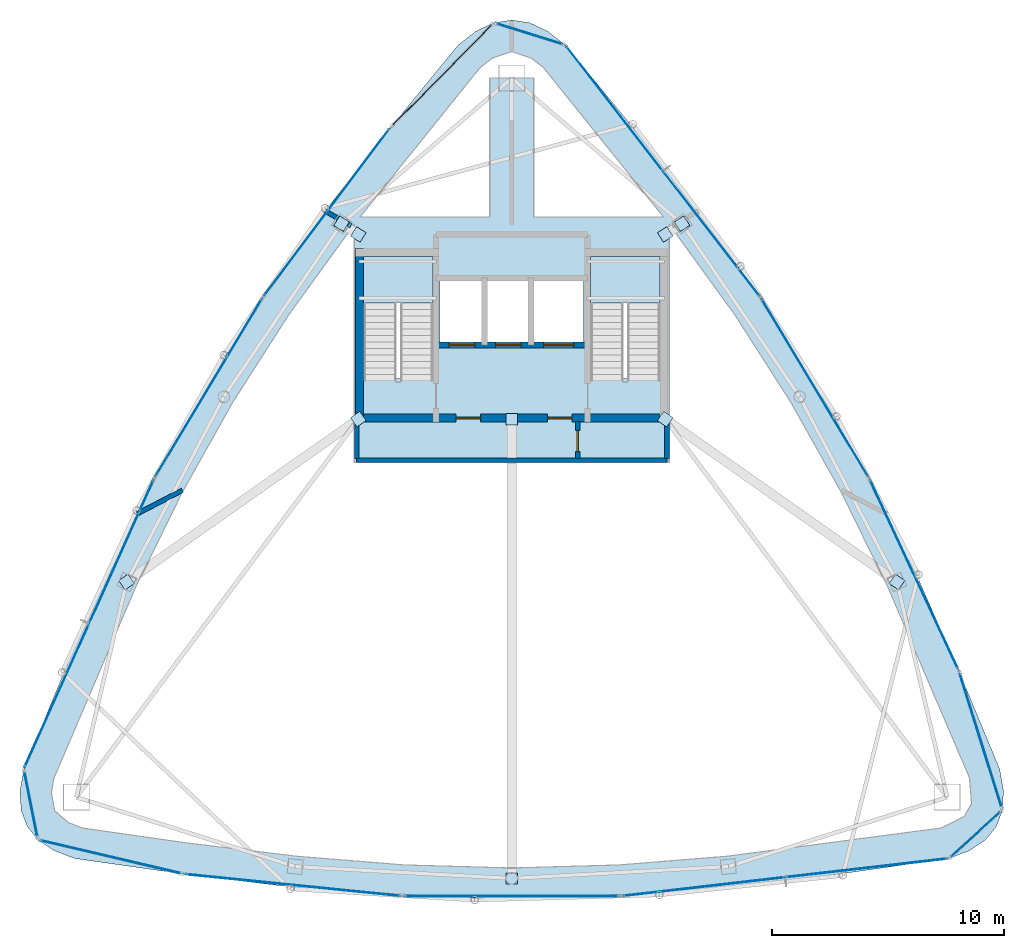
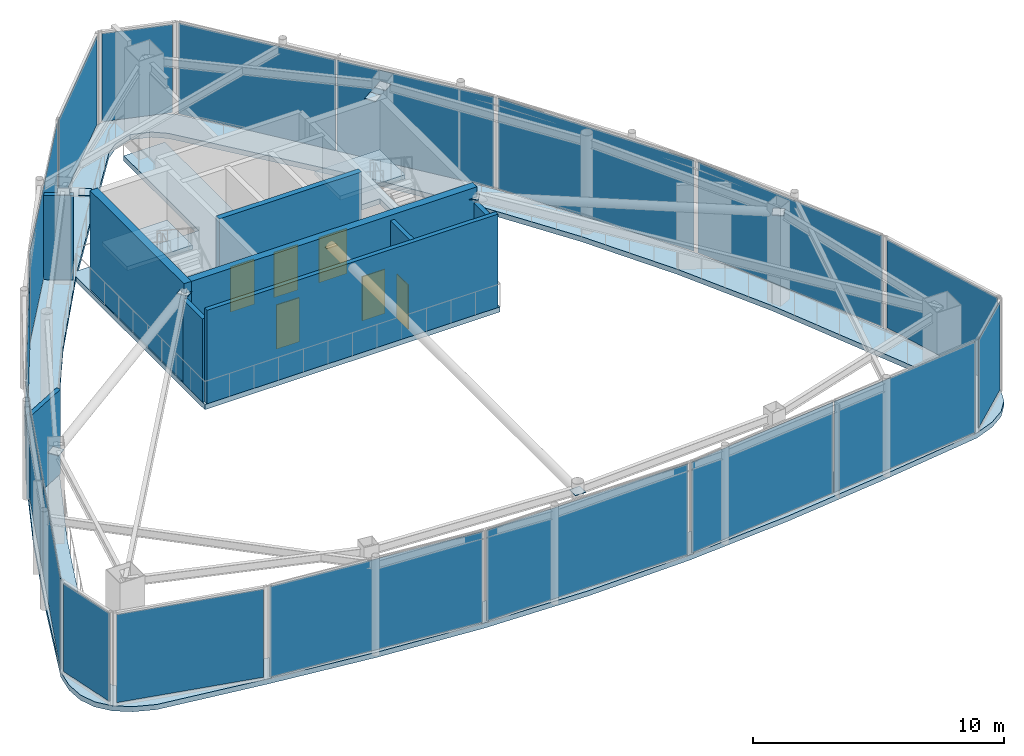
# One storey, part 16 of 20: 28 plates, 9 walls, 6 doors, 3 slabs, 6 openings, 17 elements without a shape of their own.
"""IFC4 building model written with IfcOpenShell, lengths in metres."""

from ifc_helpers import new_model, si_unit, direction, frame, frame_2d, origin, origin_2d, place, context, subcontext, project, spatial, polyline, rectangle, outline, extrude, material, layer, layer_set, type_object, element, fill, aggregate, save


model = new_model("IFC4")

# Units and contexts
model_context = context("Model", 3, precision=1e-05, world=origin(), true_north=direction((0.0, 1.0)))
body_context = subcontext(model_context, "Body", "Model", "MODEL_VIEW")
ifc_project = project(units=[si_unit("LENGTHUNIT", "METRE"), si_unit("AREAUNIT", "SQUARE_METRE"), si_unit("VOLUMEUNIT", "CUBIC_METRE"), si_unit("PLANEANGLEUNIT", "RADIAN"), si_unit("MASSUNIT", "GRAM", prefix="KILO")], contexts=[model_context])

# Site, building, storey
site_placement = place(None, origin())
site = spatial("IfcSite", under=ifc_project, at=site_placement, CompositionType="ELEMENT")
building_placement = place(site_placement, origin())
building = spatial("IfcBuilding", under=site, at=building_placement, Name="Orvanel Arch Residences", CompositionType="ELEMENT")
storey_placement = place(building_placement, frame((0.0, 0.0, 305.300048828125)))
storey = spatial("IfcBuildingStorey", under=building, at=storey_placement, Name="L85", CompositionType="ELEMENT", Elevation=305.300048828125)

# Plates
ifc_material_1 = material(Name="Structural steel AS/NZS 3678 Grade 350", Category="steel")
ifc_layer_1 = layer(ifc_material_1, 0.028076171875)
ifc_layer_set_1 = layer_set([ifc_layer_1], Name="Structural steel AS/NZS 3678 Grade 350")
plate_type_1 = type_object("IfcPlateType", Name="PL-CAP-28", PredefinedType="SHEET", material=ifc_layer_set_1)
for number, where, z_axis, x_axis, name in (
    (1, (26.375, 26.675048828125, 4.2861328125), (0.0, 0.0, 1.0), (0.818149717425, 0.575005252043, 0.0), "L85 hollow member end cap plate"),
    (2, (16.366943359375, 19.64208984375, 4.2861328125), (0.0, 0.0, 1.0), (0.818149717425, 0.575005252043, 0.0), "L85 hollow member end cap plate"),
    (3, (39.625, 26.675048828125, 4.2861328125), (0.0, 0.0, 1.0), (-0.818149717425, 0.575005252043, 0.0), "L85 hollow member end cap plate"),
    (4, (49.633056640625, 19.64208984375, 4.2861328125), (0.0, 0.0, 1.0), (-0.818149717425, 0.575005252043, 0.0), "L85 hollow member end cap plate"),
    (5, (26.375, 34.64990234375, 4.2861328125), (0.0, 0.0, 1.0), (-0.843391445813, 0.537299608347, 0.0), "L85 hollow member end cap plate"),
    (6, (25.64794921875, 35.113037109375, 4.2861328125), (0.0, 0.0, 1.0), (-0.843391445813, 0.537299608347, 0.0), "L85 hollow member end cap plate"),
    (7, (39.625, 34.64990234375, 4.2861328125), (0.0, 0.0, 1.0), (0.843391445813, 0.537299608347, 0.0), "L85 hollow member end cap plate"),
    (8, (40.35205078125, 35.113037109375, 4.2861328125), (0.0, 0.0, 1.0), (0.843391445813, 0.537299608347, 0.0), "L85 hollow member end cap plate"),
    (9, (33.0, 26.675048828125, 4.2861328125), (0.0, 0.0, 1.0), (0.0, 1.0, 0.0), "L85 hollow member end cap plate"),
    (10, (33.0, 6.843994140625, 4.2861328125), (0.0, 0.0, 1.0), (0.0, 1.0, 0.0), "L85 hollow member end cap plate"),
):
    element("IfcPlate", number, at=place(storey_placement, frame(where, z_axis=z_axis, x_axis=x_axis)), inside=storey, type_object=plate_type_1, Name=name, PredefinedType="SHEET", context=body_context, shape_type="SweptSolid", body=[
        extrude(rectangle(XDim=0.486083984375, YDim=0.486083984375, at=origin_2d()), origin(), (0.0, 0.0, 1.0), 0.028076171875),
    ])

# Curtain wall, plate
ifc_material_2 = material(Name="Bronze-anodised aluminium AA6063-T6", Category="aluminium")
ifc_layer_2 = layer(ifc_material_2, 0.2099609375)
ifc_layer_set_2 = layer_set([ifc_layer_2], Name="Bronze-anodised aluminium AA6063-T6")
curtain_wall_type = type_object("IfcCurtainWallType", Name="CW7-TOP-SYS", PredefinedType="NOTDEFINED", material=ifc_layer_set_2)
curtain_wall_1_placement = place(storey_placement, origin())
curtain_wall_1 = element("IfcCurtainWall", 11, at=curtain_wall_1_placement, inside=storey, type_object=curtain_wall_type, Name="L85 CW7-TOP-SYS Unitised Curtain Wall", PredefinedType="NOTDEFINED")
ifc_material_3 = material(Name="Double-glazed solar-control low-E safety glass", Category="glass")
ifc_layer_3 = layer(ifc_material_3, 0.031982421875)
ifc_layer_set_3 = layer_set([ifc_layer_3], Name="Double-glazed solar-control low-E safety glass")
plate_type_2 = type_object("IfcPlateType", Name="PNL-GLZ-32", PredefinedType="CURTAIN_PANEL", material=ifc_layer_set_3)
plate_1_placement = place(storey_placement, frame((33.771484375, 43.30859375, 0.1298828125), z_axis=(0.0, 0.0, 1.0), x_axis=(-0.954819263057, 0.297187104186, 0.0)))
plate_1 = element("IfcPlate", 12, at=plate_1_placement, type_object=plate_type_2, Name="CW-S7 panel 1.1", PredefinedType="CURTAIN_PANEL", context=body_context, shape_type="SweptSolid", body=[
    extrude(rectangle(XDim=2.893310546875, YDim=0.031982421875, at=origin_2d()), origin(), (0.0, 0.0, 1.0), 4.2900390625),
])
aggregate(curtain_wall_1, [plate_1])

curtain_wall_2_placement = place(storey_placement, origin())
curtain_wall_2 = element("IfcCurtainWall", 13, at=curtain_wall_2_placement, inside=storey, type_object=curtain_wall_type, Name="L85 CW7-TOP-SYS Unitised Curtain Wall", PredefinedType="NOTDEFINED")
plate_2_placement = place(storey_placement, frame((29.99560546875, 41.528564453125, 0.1298828125), z_axis=(0.0, 0.0, 1.0), x_axis=(-0.702658700907, -0.71152705503, 0.0)))
plate_2 = element("IfcPlate", 14, at=plate_2_placement, type_object=plate_type_2, Name="CW-S7 panel 1.1", PredefinedType="CURTAIN_PANEL", context=body_context, shape_type="SweptSolid", body=[
    extrude(rectangle(XDim=6.0146484375, YDim=0.031982421875, at=origin_2d()), origin(), (0.0, 0.0, 1.0), 4.2900390625),
])
aggregate(curtain_wall_2, [plate_2])

curtain_wall_3_placement = place(storey_placement, origin())
curtain_wall_3 = element("IfcCurtainWall", 15, at=curtain_wall_3_placement, inside=storey, type_object=curtain_wall_type, Name="L85 CW7-TOP-SYS Unitised Curtain Wall", PredefinedType="NOTDEFINED")
plate_3_placement = place(storey_placement, frame((12.236572265625, 10.03857421875, 0.1298828125), z_axis=(0.0, 0.0, 1.0), x_axis=(0.195615366274, -0.980680696495, 0.0)))
plate_3 = element("IfcPlate", 16, at=plate_3_placement, type_object=plate_type_2, Name="CW-S7 panel 1.1", PredefinedType="CURTAIN_PANEL", context=body_context, shape_type="SweptSolid", body=[
    extrude(rectangle(XDim=2.7724609375, YDim=0.031982421875, at=origin_2d()), origin(), (0.0, 0.0, 1.0), 4.2900390625),
])
aggregate(curtain_wall_3, [plate_3])

curtain_wall_4_placement = place(storey_placement, origin())
curtain_wall_4 = element("IfcCurtainWall", 17, at=curtain_wall_4_placement, inside=storey, type_object=curtain_wall_type, Name="L85 CW7-TOP-SYS Unitised Curtain Wall", PredefinedType="NOTDEFINED")
plate_4_placement = place(storey_placement, frame((15.689453125, 7.77197265625, 0.1298828125), z_axis=(0.0, 0.0, 1.0), x_axis=(0.973510919271, -0.22864052585, 0.0)))
plate_4 = element("IfcPlate", 18, at=plate_4_placement, type_object=plate_type_2, Name="CW-S7 panel 1.1", PredefinedType="CURTAIN_PANEL", context=body_context, shape_type="SweptSolid", body=[
    extrude(rectangle(XDim=6.12939453125, YDim=0.031982421875, at=origin_2d()), origin(), (0.0, 0.0, 1.0), 4.2900390625),
])
aggregate(curtain_wall_4, [plate_4])

curtain_wall_5_placement = place(storey_placement, origin())
curtain_wall_5 = element("IfcCurtainWall", 19, at=curtain_wall_5_placement, inside=storey, type_object=curtain_wall_type, Name="L85 CW7-TOP-SYS Unitised Curtain Wall", PredefinedType="NOTDEFINED")
plate_5_placement = place(storey_placement, frame((53.035400390625, 8.75244140625, 0.1298828125), z_axis=(0.0, 0.0, 1.0), x_axis=(0.740131415499, 0.672462257522, 0.0)))
plate_5 = element("IfcPlate", 20, at=plate_5_placement, type_object=plate_type_2, Name="CW-S7 panel 1.1", PredefinedType="CURTAIN_PANEL", context=body_context, shape_type="SweptSolid", body=[
    extrude(rectangle(XDim=2.773681640625, YDim=0.031982421875, at=origin_2d()), origin(), (0.0, 0.0, 1.0), 4.2900390625),
])
aggregate(curtain_wall_5, [plate_5])

curtain_wall_6_placement = place(storey_placement, origin())
curtain_wall_6 = element("IfcCurtainWall", 21, at=curtain_wall_6_placement, inside=storey, type_object=curtain_wall_type, Name="L85 CW7-TOP-SYS Unitised Curtain Wall", PredefinedType="NOTDEFINED")
plate_6_placement = place(storey_placement, frame((53.2451171875, 12.8095703125, 0.1298828125), z_axis=(0.0, 0.0, 1.0), x_axis=(-0.298901573542, 0.954283945864, 0.0)))
plate_6 = element("IfcPlate", 22, at=plate_6_placement, type_object=plate_type_2, Name="CW-S7 panel 1.1", PredefinedType="CURTAIN_PANEL", context=body_context, shape_type="SweptSolid", body=[
    extrude(rectangle(XDim=5.9697265625, YDim=0.031982421875, at=origin_2d()), origin(), (0.0, 0.0, 1.0), 4.2900390625),
])
aggregate(curtain_wall_6, [plate_6])

curtain_wall_7_placement = place(storey_placement, origin())
curtain_wall_7 = element("IfcCurtainWall", 23, at=curtain_wall_7_placement, inside=storey, type_object=curtain_wall_type, Name="L85 CW7-TOP-SYS Unitised Curtain Wall", PredefinedType="NOTDEFINED")
plate_7_placement = place(storey_placement, frame((25.009521484375, 35.60498046875, 0.06494140625), z_axis=(0.0, 0.0, 1.0), x_axis=(-0.600876351509, -0.799341985759, 0.0)))
plate_7 = element("IfcPlate", 24, at=plate_7_placement, type_object=plate_type_2, Name="CW-S7 panel 1.1", PredefinedType="CURTAIN_PANEL", context=body_context, shape_type="SweptSolid", body=[
    extrude(rectangle(XDim=8.97509765625, YDim=0.031982421875, at=origin_2d()), origin(), (0.0, 0.0, 1.0), 4.419921875),
])
aggregate(curtain_wall_7, [plate_7])

curtain_wall_8_placement = place(storey_placement, origin())
curtain_wall_8 = element("IfcCurtainWall", 25, at=curtain_wall_8_placement, inside=storey, type_object=curtain_wall_type, Name="L85 CW7-TOP-SYS Unitised Curtain Wall", PredefinedType="NOTDEFINED")
plate_8_placement = place(storey_placement, frame((19.912109375, 28.034423828125, 0.06494140625), z_axis=(0.0, 0.0, 1.0), x_axis=(-0.514447133788, -0.857522096821, 0.0)))
plate_8 = element("IfcPlate", 26, at=plate_8_placement, type_object=plate_type_2, Name="CW-S7 panel 1.1", PredefinedType="CURTAIN_PANEL", context=body_context, shape_type="SweptSolid", body=[
    extrude(rectangle(XDim=8.923828125, YDim=0.031982421875, at=origin_2d()), origin(), (0.0, 0.0, 1.0), 4.419921875),
])
aggregate(curtain_wall_8, [plate_8])

# Curtain wall, plates
curtain_wall_9_placement = place(storey_placement, origin())
curtain_wall_9 = element("IfcCurtainWall", 27, at=curtain_wall_9_placement, inside=storey, type_object=curtain_wall_type, Name="L85 CW7-TOP-SYS Unitised Curtain Wall", PredefinedType="NOTDEFINED")
plate_9_placement = place(storey_placement, frame((16.147216796875, 20.96044921875, 0.06494140625), z_axis=(0.0, 0.0, 1.0), x_axis=(-0.40935286193, -0.912376147447, 0.0)))
plate_9 = element("IfcPlate", 28, at=plate_9_placement, type_object=plate_type_2, Name="CW-S7 panel 1.1", PredefinedType="CURTAIN_PANEL", context=body_context, shape_type="SweptSolid", body=[
    extrude(rectangle(XDim=6.751953125, YDim=0.031982421875, at=origin_2d()), origin(), (0.0, 0.0, 1.0), 4.419921875),
])
plate_10_placement = place(storey_placement, frame((13.352783203125, 14.731689453125, 0.06494140625), z_axis=(0.0, 0.0, 1.0), x_axis=(-0.40935286193, -0.912376147447, 0.0)))
plate_10 = element("IfcPlate", 29, at=plate_10_placement, type_object=plate_type_2, Name="CW-S7 panel 2.1", PredefinedType="CURTAIN_PANEL", context=body_context, shape_type="SweptSolid", body=[
    extrude(rectangle(XDim=6.751953125, YDim=0.031982421875, at=origin_2d()), origin(), (0.0, 0.0, 1.0), 4.419921875),
])
aggregate(curtain_wall_9, [plate_9, plate_10])

# Curtain wall, plate
curtain_wall_10_placement = place(storey_placement, origin())
curtain_wall_10 = element("IfcCurtainWall", 30, at=curtain_wall_10_placement, inside=storey, type_object=curtain_wall_type, Name="L85 CW7-TOP-SYS Unitised Curtain Wall", PredefinedType="NOTDEFINED")
plate_11_placement = place(storey_placement, frame((23.55859375, 6.554931640625, 0.06494140625), z_axis=(0.0, 0.0, 1.0), x_axis=(0.994932912487, -0.10054103466, 0.0)))
plate_11 = element("IfcPlate", 31, at=plate_11_placement, type_object=plate_type_2, Name="CW-S7 panel 1.1", PredefinedType="CURTAIN_PANEL", context=body_context, shape_type="SweptSolid", body=[
    extrude(rectangle(XDim=9.298828125, YDim=0.031982421875, at=origin_2d()), origin(), (0.0, 0.0, 1.0), 4.419921875),
])
aggregate(curtain_wall_10, [plate_11])

curtain_wall_11_placement = place(storey_placement, origin())
curtain_wall_11 = element("IfcCurtainWall", 32, at=curtain_wall_11_placement, inside=storey, type_object=curtain_wall_type, Name="L85 CW7-TOP-SYS Unitised Curtain Wall", PredefinedType="NOTDEFINED")
plate_12_placement = place(storey_placement, frame((33.0, 6.077880859375, 0.06494140625), z_axis=(0.0, 0.0, 1.0), x_axis=(1.0, 0.0, 0.0)))
plate_12 = element("IfcPlate", 33, at=plate_12_placement, type_object=plate_type_2, Name="CW-S7 panel 1.1", PredefinedType="CURTAIN_PANEL", context=body_context, shape_type="SweptSolid", body=[
    extrude(rectangle(XDim=9.251953125, YDim=0.031982421875, at=origin_2d()), origin(), (0.0, 0.0, 1.0), 4.419921875),
])
aggregate(curtain_wall_11, [plate_12])

# Curtain wall, plates
curtain_wall_12_placement = place(storey_placement, origin())
curtain_wall_12 = element("IfcCurtainWall", 34, at=curtain_wall_12_placement, inside=storey, type_object=curtain_wall_type, Name="L85 CW7-TOP-SYS Unitised Curtain Wall", PredefinedType="NOTDEFINED")
plate_13_placement = place(storey_placement, frame((41.2900390625, 6.488037109375, 0.06494140625), z_axis=(0.0, 0.0, 1.0), x_axis=(0.9934526127, 0.11424494002, 0.0)))
plate_13 = element("IfcPlate", 35, at=plate_13_placement, type_object=plate_type_2, Name="CW-S7 panel 1.1", PredefinedType="CURTAIN_PANEL", context=body_context, shape_type="SweptSolid", body=[
    extrude(rectangle(XDim=6.9951171875, YDim=0.031982421875, at=origin_2d()), origin(), (0.0, 0.0, 1.0), 4.419921875),
])
plate_14_placement = place(storey_placement, frame((48.31396484375, 7.2958984375, 0.06494140625), z_axis=(0.0, 0.0, 1.0), x_axis=(0.9934526127, 0.11424494002, 0.0)))
plate_14 = element("IfcPlate", 36, at=plate_14_placement, type_object=plate_type_2, Name="CW-S7 panel 2.1", PredefinedType="CURTAIN_PANEL", context=body_context, shape_type="SweptSolid", body=[
    extrude(rectangle(XDim=6.9951171875, YDim=0.031982421875, at=origin_2d()), origin(), (0.0, 0.0, 1.0), 4.419921875),
])
aggregate(curtain_wall_12, [plate_13, plate_14])

# Curtain wall, plate
curtain_wall_13_placement = place(storey_placement, origin())
curtain_wall_13 = element("IfcCurtainWall", 37, at=curtain_wall_13_placement, inside=storey, type_object=curtain_wall_type, Name="L85 CW7-TOP-SYS Unitised Curtain Wall", PredefinedType="NOTDEFINED")
plate_15_placement = place(storey_placement, frame((50.366943359375, 19.973388671875, 0.06494140625), z_axis=(0.0, 0.0, 1.0), x_axis=(-0.422363438385, 0.906426569511, 0.0)))
plate_15 = element("IfcPlate", 38, at=plate_15_placement, type_object=plate_type_2, Name="CW-S7 panel 1.1", PredefinedType="CURTAIN_PANEL", context=body_context, shape_type="SweptSolid", body=[
    extrude(rectangle(XDim=8.974853515625, YDim=0.031982421875, at=origin_2d()), origin(), (0.0, 0.0, 1.0), 4.419921875),
])
aggregate(curtain_wall_13, [plate_15])

curtain_wall_14_placement = place(storey_placement, origin())
curtain_wall_14 = element("IfcCurtainWall", 39, at=curtain_wall_14_placement, inside=storey, type_object=curtain_wall_type, Name="L85 CW7-TOP-SYS Unitised Curtain Wall", PredefinedType="NOTDEFINED")
plate_16_placement = place(storey_placement, frame((46.087890625, 28.034423828125, 0.06494140625), z_axis=(0.0, 0.0, 1.0), x_axis=(-0.514447133788, 0.857522096821, 0.0)))
plate_16 = element("IfcPlate", 40, at=plate_16_placement, type_object=plate_type_2, Name="CW-S7 panel 1.1", PredefinedType="CURTAIN_PANEL", context=body_context, shape_type="SweptSolid", body=[
    extrude(rectangle(XDim=8.923828125, YDim=0.031982421875, at=origin_2d()), origin(), (0.0, 0.0, 1.0), 4.419921875),
])
aggregate(curtain_wall_14, [plate_16])

# Curtain wall, plates
curtain_wall_15_placement = place(storey_placement, origin())
curtain_wall_15 = element("IfcCurtainWall", 41, at=curtain_wall_15_placement, inside=storey, type_object=curtain_wall_type, Name="L85 CW7-TOP-SYS Unitised Curtain Wall", PredefinedType="NOTDEFINED")
plate_17_placement = place(storey_placement, frame((41.619384765625, 34.686279296875, 0.06494140625), z_axis=(0.0, 0.0, 1.0), x_axis=(-0.612259873102, 0.790656592833, 0.0)))
plate_17 = element("IfcPlate", 42, at=plate_17_placement, type_object=plate_type_2, Name="CW-S7 panel 1.1", PredefinedType="CURTAIN_PANEL", context=body_context, shape_type="SweptSolid", body=[
    extrude(rectangle(XDim=6.75146484375, YDim=0.031982421875, at=origin_2d()), origin(), (0.0, 0.0, 1.0), 4.419921875),
])
plate_18_placement = place(storey_placement, frame((37.439697265625, 40.083740234375, 0.06494140625), z_axis=(0.0, 0.0, 1.0), x_axis=(-0.612259873102, 0.790656592833, 0.0)))
plate_18 = element("IfcPlate", 43, at=plate_18_placement, type_object=plate_type_2, Name="CW-S7 panel 2.1", PredefinedType="CURTAIN_PANEL", context=body_context, shape_type="SweptSolid", body=[
    extrude(rectangle(XDim=6.75146484375, YDim=0.031982421875, at=origin_2d()), origin(), (0.0, 0.0, 1.0), 4.419921875),
])
aggregate(curtain_wall_15, [plate_17, plate_18])

# Slab
ifc_material_4 = material(Name="Concrete N40 (40 MPa)", Category="concrete")
ifc_layer_4 = layer(ifc_material_4, 0.25)
ifc_layer_set_4 = layer_set([ifc_layer_4], Name="Concrete N40 (40 MPa)")
slab_type_1 = type_object("IfcSlabType", Name="SLB-CRN-250", PredefinedType="FLOOR", material=ifc_layer_set_4)
slab_1_placement = place(storey_placement, frame((0.0, 0.0, -0.25)))
element("IfcSlab", 44, at=slab_1_placement, inside=storey, type_object=slab_type_1, Name="L85 Crown Conservatory Ring Gallery Slab", PredefinedType="FLOOR", context=body_context, shape_type="SweptSolid", body=[
    extrude(outline(polyline([(35.31494140625, 42.827880859375), (34.54296875, 43.428955078125), (33.77197265625, 43.7890625), (33.0, 43.908935546875), (32.22802734375, 43.7890625), (31.45703125, 43.428955078125), (30.68505859375, 42.827880859375), (27.762939453125, 39.26806640625), (24.927978515625, 35.654052734375), (22.256103515625, 31.94189453125), (19.797119140625, 28.10400390625), (17.568115234375, 24.126953125), (15.552001953125, 20.02197265625), (13.697998046875, 15.820068359375), (11.931884765625, 11.56494140625), (11.76611328125, 10.6220703125), (11.81201171875, 9.799072265625), (12.071044921875, 9.094970703125), (12.541015625, 8.511962890625), (13.222900390625, 8.049072265625), (14.116943359375, 7.7060546875), (18.837890625, 7.031982421875), (23.55908203125, 6.4599609375), (28.279052734375, 6.077880859375), (33.0, 5.944091796875), (37.720947265625, 6.077880859375), (42.44091796875, 6.4599609375), (47.162109375, 7.031982421875), (51.883056640625, 7.7060546875), (52.777099609375, 8.049072265625), (53.458984375, 8.511962890625), (53.928955078125, 9.094970703125), (54.18798828125, 9.799072265625), (54.23388671875, 10.6220703125), (54.068115234375, 11.56494140625), (52.302001953125, 15.820068359375), (50.447998046875, 20.02197265625), (48.431884765625, 24.126953125), (46.202880859375, 28.10400390625), (43.743896484375, 31.94189453125), (41.072021484375, 35.654052734375), (38.237060546875, 39.26806640625), (35.31494140625, 42.827880859375)]), holes=[polyline([(26.60009765625, 28.429931640625), (26.60009765625, 33.699951171875), (29.60009765625, 33.699951171875), (29.60009765625, 28.429931640625), (26.60009765625, 28.429931640625)]), polyline([(36.39990234375, 28.429931640625), (36.39990234375, 33.699951171875), (39.39990234375, 33.699951171875), (39.39990234375, 28.429931640625), (36.39990234375, 28.429931640625)]), polyline([(29.89990234375, 32.64990234375), (31.75, 32.64990234375), (31.75, 29.949951171875), (29.89990234375, 29.949951171875), (29.89990234375, 32.64990234375)]), polyline([(31.89990234375, 32.64990234375), (33.75, 32.64990234375), (33.75, 29.949951171875), (31.89990234375, 29.949951171875), (31.89990234375, 32.64990234375)]), polyline([(33.89990234375, 32.64990234375), (36.10009765625, 32.64990234375), (36.10009765625, 29.949951171875), (33.89990234375, 29.949951171875), (33.89990234375, 32.64990234375)]), polyline([(39.554931640625, 35.39990234375), (33.949951171875, 35.39990234375), (33.949951171875, 41.39794921875), (32.050048828125, 41.39794921875), (32.050048828125, 35.39990234375), (26.445068359375, 35.39990234375), (31.633056640625, 41.85498046875), (32.166015625, 42.27001953125), (33.0, 42.54296875), (33.833984375, 42.27001953125), (34.366943359375, 41.85498046875), (39.554931640625, 35.39990234375)]), polyline([(42.626953125, 31.18310546875), (45.044921875, 27.408935546875), (47.236083984375, 23.4990234375), (49.22412109375, 19.451904296875), (52.763916015625, 11.18505859375), (52.85107421875, 10.075927734375), (52.533935546875, 9.51611328125), (51.5419921875, 9.02099609375), (42.304931640625, 7.802978515625), (37.64697265625, 7.426025390625), (33.0, 7.294921875), (28.35302734375, 7.426025390625), (23.695068359375, 7.802978515625), (19.014892578125, 8.3701171875), (14.4580078125, 9.02099609375), (13.85205078125, 9.25390625), (13.260986328125, 9.76904296875), (13.123046875, 10.5419921875), (13.236083984375, 11.18505859375), (16.77587890625, 19.451904296875), (18.763916015625, 23.4990234375), (20.955078125, 27.408935546875), (23.373046875, 31.18310546875), (26.199951171875, 35.087890625), (26.199951171875, 24.800048828125), (39.800048828125, 24.800048828125), (39.800048828125, 35.087890625), (42.626953125, 31.18310546875)])]), origin(), (0.0, 0.0, 1.0), 0.25),
])

# Stair, slab
ifc_material_5 = material(Name="Precast concrete N50 (50 MPa)", Category="concrete")
stair_type = type_object("IfcStairType", Name="STR-DOG-184", PredefinedType="USERDEFINED", material=ifc_material_5)
stair_1_placement = place(storey_placement, origin())
stair_1 = element("IfcStair", 45, at=stair_1_placement, inside=storey, type_object=stair_type, Name="L85 Fire-Isolated Core Exit Stair 1", ObjectType="TWO_RETURN_STAIR", PredefinedType="USERDEFINED")
ifc_layer_5 = layer(ifc_material_4, 0.199951171875)
ifc_layer_set_5 = layer_set([ifc_layer_5], Name="Concrete N40 (40 MPa)")
slab_type_2 = type_object("IfcSlabType", Name="SLB-LND-200", PredefinedType="LANDING", material=ifc_layer_set_5)
slab_2_placement = place(storey_placement, frame((0.0, 0.0, 2.199951171875)))
slab_2 = element("IfcSlab", 46, at=slab_2_placement, type_object=slab_type_2, Name="ST-1 landing 1", PredefinedType="LANDING", context=body_context, shape_type="SweptSolid", body=[
    extrude(outline(polyline([(29.60009765625, 31.679931640625), (29.60009765625, 33.699951171875), (26.60009765625, 33.699951171875), (26.60009765625, 31.679931640625), (29.60009765625, 31.679931640625)])), origin(), (0.0, 0.0, 1.0), 0.199951171875),
])
aggregate(stair_1, [slab_2])

stair_2_placement = place(storey_placement, origin())
stair_2 = element("IfcStair", 47, at=stair_2_placement, inside=storey, type_object=stair_type, Name="L85 Fire-Isolated Core Exit Stair 2", ObjectType="TWO_RETURN_STAIR", PredefinedType="USERDEFINED")
slab_3_placement = place(storey_placement, frame((0.0, 0.0, 2.199951171875)))
slab_3 = element("IfcSlab", 48, at=slab_3_placement, type_object=slab_type_2, Name="ST-2 landing 1", PredefinedType="LANDING", context=body_context, shape_type="SweptSolid", body=[
    extrude(outline(polyline([(39.39990234375, 31.679931640625), (39.39990234375, 33.699951171875), (36.39990234375, 33.699951171875), (36.39990234375, 31.679931640625), (39.39990234375, 31.679931640625)])), origin(), (0.0, 0.0, 1.0), 0.199951171875),
])
aggregate(stair_2, [slab_3])

# Wall, openings, doors
ifc_material_6 = material(Name="Concrete N50 (50 MPa)", Category="concrete")
ifc_layer_6 = layer(ifc_material_6, 0.25)
ifc_layer_set_6 = layer_set([ifc_layer_6], Name="Concrete N50 (50 MPa)")
wall_type_1 = type_object("IfcWallType", Name="SW-CORE-250", PredefinedType="SHEAR", material=ifc_layer_set_6)
wall_1_placement = place(storey_placement, frame((36.27490234375, 29.875, 0.0), z_axis=(0.0, 0.0, 1.0), x_axis=(-1.0, 0.0, 0.0)))
wall_1 = element("IfcWall", 49, at=wall_1_placement, inside=storey, type_object=wall_type_1, Name="L85 Emergency Lift Front Core Shear Wall", PredefinedType="SHEAR", context=body_context, shape_type="SweptSolid", body=[
    extrude(rectangle(XDim=6.5498046875, YDim=0.25, at=frame_2d((3.27490234375, 0.0))), origin(), (0.0, 0.0, 1.0), 4.800048828125),
])
opening_1_placement = place(wall_1_placement, frame((4.875, 0.0, 0.0)))
opening_1 = element("IfcOpeningElement", 50, at=opening_1_placement, cuts=wall_1, Name="Opening LD-110", PredefinedType="OPENING", context=body_context, shape_type="SweptSolid", body=[
    extrude(rectangle(XDim=1.10009765625, YDim=2.199951171875, at=frame_2d((0.550048828125, 1.10009765625))), frame((0.0, 0.135009765625, 0.0), z_axis=(0.0, -1.0, 0.0), x_axis=(1.0, 0.0, 0.0)), (0.0, 0.0, 1.0), 0.27001953125),
])
opening_2_placement = place(wall_1_placement, frame((2.875, 0.0, 0.0)))
opening_2 = element("IfcOpeningElement", 51, at=opening_2_placement, cuts=wall_1, Name="Opening LD-110", PredefinedType="OPENING", context=body_context, shape_type="SweptSolid", body=[
    extrude(rectangle(XDim=1.10009765625, YDim=2.199951171875, at=frame_2d((0.550048828125, 1.10009765625))), frame((0.0, 0.135009765625, 0.0), z_axis=(0.0, -1.0, 0.0), x_axis=(1.0, 0.0, 0.0)), (0.0, 0.0, 1.0), 0.27001953125),
])
opening_3_placement = place(wall_1_placement, frame((0.60009765625, 0.0, 0.0)))
opening_3 = element("IfcOpeningElement", 52, at=opening_3_placement, cuts=wall_1, Name="Opening LD-130", PredefinedType="OPENING", context=body_context, shape_type="SweptSolid", body=[
    extrude(rectangle(XDim=1.300048828125, YDim=2.199951171875, at=frame_2d((0.64990234375, 1.10009765625))), frame((0.0, 0.135009765625, 0.0), z_axis=(0.0, -1.0, 0.0), x_axis=(1.0, 0.0, 0.0)), (0.0, 0.0, 1.0), 0.27001953125),
])
ifc_material_7 = material(Name="Galvanised steel fire-resisting door assembly", Category="steel")
door_type_1 = type_object("IfcDoorType", Name="DR-LFT-1100", OperationType="NOTDEFINED", PredefinedType="DOOR", material=ifc_material_7)
door_1_placement = place(opening_1_placement, origin())
door_1 = element("IfcDoor", 53, at=door_1_placement, inside=storey, type_object=door_type_1, Name="LD-F1-L85 L85 Lift F1 Sliding Landing Door", OperationType="DOUBLE_DOOR_SLIDING", OverallHeight=2.199951171875, OverallWidth=1.10009765625, PredefinedType="DOOR", context=body_context, shape_type="SweptSolid", body=[
    extrude(rectangle(XDim=1.10009765625, YDim=2.199951171875, at=frame_2d((0.550048828125, 1.10009765625))), frame((0.0, 0.02490234375, 0.0), z_axis=(0.0, -1.0, 0.0), x_axis=(1.0, 0.0, 0.0)), (0.0, 0.0, 1.0), 0.050048828125),
])
fill(opening_1, door_1)
door_2_placement = place(opening_2_placement, origin())
door_2 = element("IfcDoor", 54, at=door_2_placement, inside=storey, type_object=door_type_1, Name="LD-F2-L85 L85 Lift F2 Sliding Landing Door", OperationType="DOUBLE_DOOR_SLIDING", OverallHeight=2.199951171875, OverallWidth=1.10009765625, PredefinedType="DOOR", context=body_context, shape_type="SweptSolid", body=[
    extrude(rectangle(XDim=1.10009765625, YDim=2.199951171875, at=frame_2d((0.550048828125, 1.10009765625))), frame((0.0, 0.02490234375, 0.0), z_axis=(0.0, -1.0, 0.0), x_axis=(1.0, 0.0, 0.0)), (0.0, 0.0, 1.0), 0.050048828125),
])
fill(opening_2, door_2)
door_type_2 = type_object("IfcDoorType", Name="DR-LFT-1300", OperationType="NOTDEFINED", PredefinedType="DOOR", material=ifc_material_7)
door_3_placement = place(opening_3_placement, origin())
door_3 = element("IfcDoor", 55, at=door_3_placement, inside=storey, type_object=door_type_2, Name="LD-G1-L85 L85 Lift G1 Sliding Landing Door", OperationType="DOUBLE_DOOR_SLIDING", OverallHeight=2.199951171875, OverallWidth=1.300048828125, PredefinedType="DOOR", context=body_context, shape_type="SweptSolid", body=[
    extrude(rectangle(XDim=1.300048828125, YDim=2.199951171875, at=frame_2d((0.64990234375, 1.10009765625))), frame((0.0, 0.02490234375, 0.0), z_axis=(0.0, -1.0, 0.0), x_axis=(1.0, 0.0, 0.0)), (0.0, 0.0, 1.0), 0.050048828125),
])
fill(opening_3, door_3)

ifc_layer_7 = layer(ifc_material_6, 0.35009765625)
ifc_layer_set_7 = layer_set([ifc_layer_7], Name="Concrete N50 (50 MPa)")
wall_type_2 = type_object("IfcWallType", Name="SW-CORE-350", PredefinedType="SHEAR", material=ifc_layer_set_7)
wall_2_placement = place(storey_placement, frame((26.25, 26.72509765625, 0.0), z_axis=(0.0, 0.0, 1.0), x_axis=(1.0, 0.0, 0.0)))
wall_2 = element("IfcWall", 56, at=wall_2_placement, inside=storey, type_object=wall_type_2, Name="L85 South Core Shear Wall", PredefinedType="SHEAR", context=body_context, shape_type="SweptSolid", body=[
    extrude(rectangle(XDim=13.5, YDim=0.35009765625, at=frame_2d((6.75, 0.0))), origin(), (0.0, 0.0, 1.0), 4.800048828125),
])
opening_4_placement = place(wall_2_placement, frame((4.35009765625, 0.0, 0.0)))
opening_4 = element("IfcOpeningElement", 57, at=opening_4_placement, cuts=wall_2, Name="Opening DF-060", PredefinedType="OPENING", context=body_context, shape_type="SweptSolid", body=[
    extrude(rectangle(XDim=1.050048828125, YDim=2.14990234375, at=frame_2d((0.52490234375, 1.074951171875))), frame((0.0, 0.18505859375, 0.0), z_axis=(0.0, -1.0, 0.0), x_axis=(1.0, 0.0, 0.0)), (0.0, 0.0, 1.0), 0.3701171875),
])
opening_5_placement = place(wall_2_placement, frame((8.300048828125, 0.0, 0.0)))
opening_5 = element("IfcOpeningElement", 58, at=opening_5_placement, cuts=wall_2, Name="Opening DF-060", PredefinedType="OPENING", context=body_context, shape_type="SweptSolid", body=[
    extrude(rectangle(XDim=1.050048828125, YDim=2.14990234375, at=frame_2d((0.52490234375, 1.074951171875))), frame((0.0, 0.18505859375, 0.0), z_axis=(0.0, -1.0, 0.0), x_axis=(1.0, 0.0, 0.0)), (0.0, 0.0, 1.0), 0.3701171875),
])
door_type_3 = type_object("IfcDoorType", Name="DR-FD60-1050", OperationType="NOTDEFINED", PredefinedType="DOOR", material=ifc_material_7)
door_4_placement = place(opening_4_placement, origin())
door_4 = element("IfcDoor", 59, at=door_4_placement, inside=storey, type_object=door_type_3, Name="DR-L85-FFL-W L85 West Smoke Lobby Door", OperationType="SINGLE_SWING_LEFT", OverallHeight=2.14990234375, OverallWidth=1.050048828125, PredefinedType="DOOR", context=body_context, shape_type="SweptSolid", body=[
    extrude(rectangle(XDim=1.050048828125, YDim=2.14990234375, at=frame_2d((0.52490234375, 1.074951171875))), frame((0.0, 0.02490234375, 0.0), z_axis=(0.0, -1.0, 0.0), x_axis=(1.0, 0.0, 0.0)), (0.0, 0.0, 1.0), 0.050048828125),
])
fill(opening_4, door_4)
door_5_placement = place(opening_5_placement, origin())
door_5 = element("IfcDoor", 60, at=door_5_placement, inside=storey, type_object=door_type_3, Name="DR-L85-FFL-E L85 East Smoke Lobby Door", OperationType="SINGLE_SWING_RIGHT", OverallHeight=2.14990234375, OverallWidth=1.050048828125, PredefinedType="DOOR", context=body_context, shape_type="SweptSolid", body=[
    extrude(rectangle(XDim=1.050048828125, YDim=2.14990234375, at=frame_2d((0.52490234375, 1.074951171875))), frame((0.0, 0.02490234375, 0.0), z_axis=(0.0, -1.0, 0.0), x_axis=(1.0, 0.0, 0.0)), (0.0, 0.0, 1.0), 0.050048828125),
])
fill(opening_5, door_5)

# Walls
wall_3_placement = place(storey_placement, frame((26.425048828125, 26.550048828125, 0.0), z_axis=(0.0, 0.0, 1.0), x_axis=(0.0, 1.0, 0.0)))
element("IfcWall", 61, at=wall_3_placement, inside=storey, type_object=wall_type_2, Name="L85 West Stair Shear Wall", PredefinedType="SHEAR", context=body_context, shape_type="SweptSolid", body=[
    extrude(rectangle(XDim=7.5, YDim=0.35009765625, at=frame_2d((3.75, 0.0))), origin(), (0.0, 0.0, 1.0), 4.800048828125),
])
ifc_material_8 = material(Name="Fire-rated plasterboard lined steel stud partition", Category="steel")
ifc_layer_8 = layer(ifc_material_8, 0.199951171875)
ifc_layer_set_8 = layer_set([ifc_layer_8], Name="Fire-rated plasterboard lined steel stud partition")
wall_type_3 = type_object("IfcWallType", Name="W-PLT-200", PredefinedType="PARTITIONING", material=ifc_layer_set_8)
wall_4_placement = place(storey_placement, frame((26.300048828125, 24.89990234375, 0.0), z_axis=(0.0, 0.0, 1.0), x_axis=(1.0, 0.0, 0.0)))
element("IfcWall", 62, at=wall_4_placement, inside=storey, type_object=wall_type_3, Name="L85 Crown Plant Apron South Wall", PredefinedType="PARTITIONING", context=body_context, shape_type="SweptSolid", body=[
    extrude(rectangle(XDim=13.39990234375, YDim=0.199951171875, at=frame_2d((6.699951171875, 0.0))), origin(), (0.0, 0.0, 1.0), 4.550048828125),
])
for number, where, z_axis, x_axis, name in (
    (63, (26.300048828125, 24.985107421875, 0.0), (0.0, 0.0, 1.0), (0.0, 1.0, 0.0), "L85 Crown Plant Apron West Wall"),
    (64, (39.699951171875, 24.985107421875, 0.0), (0.0, 0.0, 1.0), (0.0, 1.0, 0.0), "L85 Crown Plant Apron East Wall"),
):
    element("IfcWall", number, at=place(storey_placement, frame(where, z_axis=z_axis, x_axis=x_axis)), inside=storey, type_object=wall_type_3, Name=name, PredefinedType="PARTITIONING", context=body_context, shape_type="SweptSolid", body=[
        extrude(rectangle(XDim=1.56494140625, YDim=0.199951171875, at=frame_2d((0.782470703125, 0.0))), origin(), (0.0, 0.0, 1.0), 4.054931640625),
    ])

# Wall, opening, door
wall_5_placement = place(storey_placement, frame((35.85009765625, 24.985107421875, 0.0), z_axis=(0.0, 0.0, 1.0), x_axis=(0.0, 1.0, 0.0)))
wall_5 = element("IfcWall", 65, at=wall_5_placement, inside=storey, type_object=wall_type_3, Name="L85 Crown Heat-Recovery Plant Wall", PredefinedType="PARTITIONING", context=body_context, shape_type="SweptSolid", body=[
    extrude(rectangle(XDim=1.579833984375, YDim=0.199951171875, at=frame_2d((0.7900390625, 0.0))), origin(), (0.0, 0.0, 1.0), 4.550048828125),
])
opening_6_placement = place(wall_5_placement, frame((0.287109375, 0.0, 0.0)))
opening_6 = element("IfcOpeningElement", 66, at=opening_6_placement, cuts=wall_5, Name="Opening DA-092", PredefinedType="OPENING", context=body_context, shape_type="SweptSolid", body=[
    extrude(rectangle(XDim=0.919921875, YDim=2.14990234375, at=frame_2d((0.4599609375, 1.074951171875))), frame((0.0, 0.10986328125, 0.0), z_axis=(0.0, -1.0, 0.0), x_axis=(1.0, 0.0, 0.0)), (0.0, 0.0, 1.0), 0.219970703125),
])
ifc_material_9 = material(Name="Solid-core European oak veneer fire door leaf", Category="wood")
door_type_4 = type_object("IfcDoorType", Name="DR-APT-920", OperationType="NOTDEFINED", PredefinedType="DOOR", material=ifc_material_9)
door_6_placement = place(opening_6_placement, origin())
door_6 = element("IfcDoor", 67, at=door_6_placement, inside=storey, type_object=door_type_4, Name="DR-L85-CRNE2 L85 Crown Winter Garden Mechanical Plant Door", OperationType="SINGLE_SWING_RIGHT", OverallHeight=2.14990234375, OverallWidth=0.919921875, PredefinedType="DOOR", context=body_context, shape_type="SweptSolid", body=[
    extrude(rectangle(XDim=0.919921875, YDim=2.14990234375, at=frame_2d((0.4599609375, 1.074951171875))), frame((0.0, 0.02490234375, 0.0), z_axis=(0.0, -1.0, 0.0), x_axis=(1.0, 0.0, 0.0)), (0.0, 0.0, 1.0), 0.050048828125),
])
fill(opening_6, door_6)

# Walls
wall_6_placement = place(storey_placement, frame((18.779052734375, 23.60498046875, 0.0), z_axis=(0.0, 0.0, 1.0), x_axis=(-0.887140685261, -0.461499084024, 0.0)))
element("IfcWall", 68, at=wall_6_placement, inside=storey, type_object=wall_type_3, Name="L85 Crown Catwalk Smoke Baffle Wall 2", PredefinedType="PARTITIONING", context=body_context, shape_type="SweptSolid", body=[
    extrude(rectangle(XDim=2.2060546875, YDim=0.199951171875, at=frame_2d((1.10302734375, 0.0))), origin(), (0.0, 0.0, 1.0), 4.10888671875),
])
wall_7_placement = place(storey_placement, frame((26.06103515625, 35.01708984375, 0.0), z_axis=(0.0, 0.0, 1.0), x_axis=(-0.865191492793, 0.501441602581, 0.0)))
element("IfcWall", 69, at=wall_7_placement, inside=storey, type_object=wall_type_3, Name="L85 Crown Catwalk Smoke Baffle Wall 4", PredefinedType="PARTITIONING", context=body_context, shape_type="SweptSolid", body=[
    extrude(rectangle(XDim=1.281982421875, YDim=0.199951171875, at=frame_2d((0.64111328125, 0.0))), origin(), (0.0, 0.0, 1.0), 4.10888671875),
])

save(model, "model.ifc")
